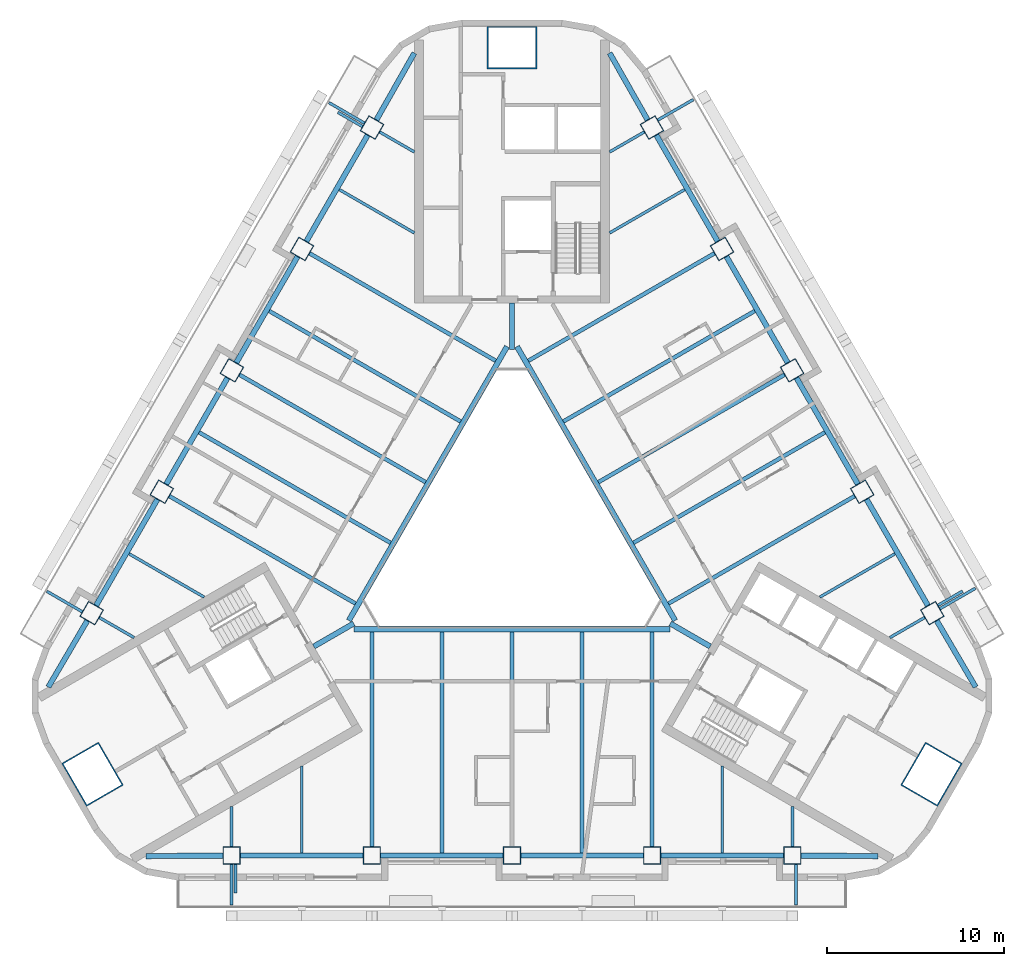
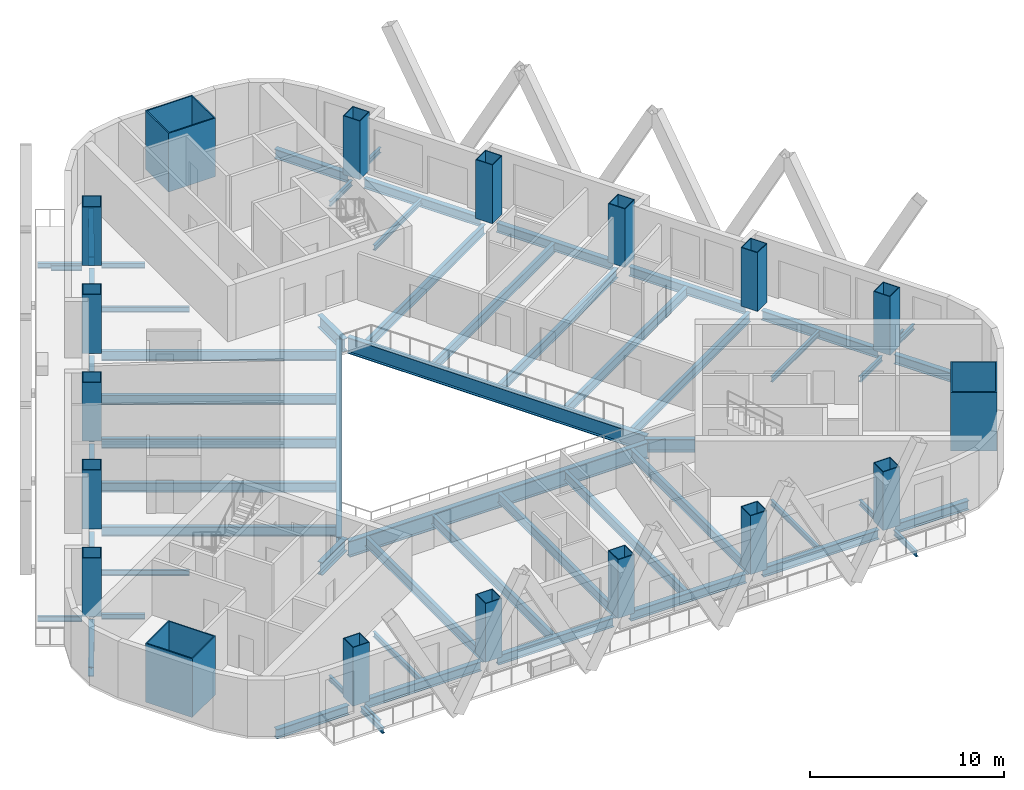
# One storey, part 1 of 13: 60 beams, 18 columns.
"""IFC4 building model written with IfcOpenShell, lengths in metres."""

from ifc_helpers import new_model, si_unit, direction, frame, origin, origin_2d, place, context, subcontext, project, spatial, rectangle, hollow_rectangle, i_section, extrude, material, material_profile, profile_set, type_object, element, save


model = new_model("IFC4")

# Units and contexts
model_context = context("Model", 3, precision=1e-05, world=origin(), true_north=direction((0.0, 1.0)))
body_context = subcontext(model_context, "Body", "Model", "MODEL_VIEW")
ifc_project = project(units=[si_unit("LENGTHUNIT", "METRE"), si_unit("AREAUNIT", "SQUARE_METRE"), si_unit("VOLUMEUNIT", "CUBIC_METRE"), si_unit("PLANEANGLEUNIT", "RADIAN"), si_unit("MASSUNIT", "GRAM", prefix="KILO")], contexts=[model_context])

# Site, building, storey
site_placement = place(None, origin())
site = spatial("IfcSite", under=ifc_project, at=site_placement, CompositionType="ELEMENT")
building_placement = place(site_placement, origin())
building = spatial("IfcBuilding", under=site, at=building_placement, Name="Apuvela Tower Hotel", CompositionType="ELEMENT")
storey_placement = place(building_placement, frame((0.0, 0.0, 68.699951171875)))
storey = spatial("IfcBuildingStorey", under=building, at=storey_placement, Name="L14", CompositionType="ELEMENT", Elevation=68.699951171875)

# Columns
ifc_material_1 = material(Name="Steel S460", Category="steel")
ifc_material_profile_1 = material_profile(ifc_material_1, hollow_rectangle(XDim=2.800048828125, YDim=2.39990234375, WallThickness=0.070068359375, at=origin_2d()), Name="BOX 2800x2400x70")
ifc_material_2 = material(Name="Concrete C80/95", Category="concrete")
ifc_material_profile_2 = material_profile(ifc_material_2, rectangle(XDim=2.659912109375, YDim=2.260009765625, at=origin_2d()), Name="Concrete C80/95 infill")
ifc_profile_set_1 = profile_set([ifc_material_profile_1, ifc_material_profile_2], Name="Steel S460")
column_type_1 = type_object("IfcColumnType", Name="STR-MC mega column BOX 2800x2400x70", PredefinedType="COLUMN", material=ifc_profile_set_1)
for number, where, z_axis, x_axis, name in (
    (1, (0.0, 27.300048828125, 0.0), (0.0, 0.0, 1.0), (1.0, 0.0, 0.0), "Mega column MC2 N"),
    (2, (-23.642578125, -13.64990234375, 0.0), (0.0, 0.0, 1.0), (-0.5, 0.866025403784, 0.0), "Mega column MC2 SW"),
    (3, (23.642578125, -13.64990234375, 0.0), (0.0, 0.0, 1.0), (0.5, 0.866025403784, 0.0), "Mega column MC2 SE"),
):
    element("IfcColumn", number, at=place(storey_placement, frame(where, z_axis=z_axis, x_axis=x_axis)), inside=storey, type_object=column_type_1, Name=name, PredefinedType="COLUMN", context=body_context, shape_type="SweptSolid", body=[
        extrude(hollow_rectangle(XDim=2.800048828125, YDim=2.39990234375, WallThickness=0.070068359375, at=origin_2d()), origin(), (0.0, 0.0, 1.0), 3.699951171875),
    ])
ifc_material_profile_3 = material_profile(ifc_material_1, hollow_rectangle(XDim=1.0, YDim=1.0, WallThickness=0.044921875, at=origin_2d()), Name="BOX 1000x1000x45")
ifc_material_profile_4 = material_profile(ifc_material_2, rectangle(XDim=0.909912109375, YDim=0.909912109375, at=origin_2d()), Name="Concrete C80/95 infill")
ifc_profile_set_2 = profile_set([ifc_material_profile_3, ifc_material_profile_4], Name="Steel S460")
column_type_2 = type_object("IfcColumnType", Name="STR-PC perimeter column BOX 1000x1000x45", PredefinedType="COLUMN", material=ifc_profile_set_2)
for number, where, z_axis, x_axis, name in (
    (4, (-15.800048828125, -18.22998046875, 0.0), (0.0, 0.0, 1.0), (-1.0, 0.0, 0.0), "Perimeter column C2 S1"),
    (5, (-7.89990234375, -18.22998046875, 0.0), (0.0, 0.0, 1.0), (-1.0, 0.0, 0.0), "Perimeter column C2 S2"),
    (6, (0.0, -18.22998046875, 0.0), (0.0, 0.0, 1.0), (-1.0, 0.0, 0.0), "Perimeter column C2 S3"),
    (7, (7.89990234375, -18.22998046875, 0.0), (0.0, 0.0, 1.0), (-1.0, 0.0, 0.0), "Perimeter column C2 S4"),
    (8, (15.800048828125, -18.22998046875, 0.0), (0.0, 0.0, 1.0), (-1.0, 0.0, 0.0), "Perimeter column C2 S5"),
    (9, (23.6875, -4.568115234375, 0.0), (0.0, 0.0, 1.0), (-0.5, 0.866025403784, 0.0), "Perimeter column C2 NE1"),
    (10, (19.737548828125, 2.2734375, 0.0), (0.0, 0.0, 1.0), (-0.5, 0.866025403784, 0.0), "Perimeter column C2 NE2"),
    (11, (15.78759765625, 9.114990234375, 0.0), (0.0, 0.0, 1.0), (-0.5, 0.866025403784, 0.0), "Perimeter column C2 NE3"),
    (12, (11.837646484375, 15.95654296875, 0.0), (0.0, 0.0, 1.0), (-0.5, 0.866025403784, 0.0), "Perimeter column C2 NE4"),
    (13, (7.8876953125, 22.798095703125, 0.0), (0.0, 0.0, 1.0), (-0.5, 0.866025403784, 0.0), "Perimeter column C2 NE5"),
    (14, (-7.8876953125, 22.798095703125, 0.0), (0.0, 0.0, 1.0), (0.5, 0.866025403784, 0.0), "Perimeter column C2 NW1"),
    (15, (-11.837646484375, 15.95654296875, 0.0), (0.0, 0.0, 1.0), (0.5, 0.866025403784, 0.0), "Perimeter column C2 NW2"),
    (16, (-15.78759765625, 9.114990234375, 0.0), (0.0, 0.0, 1.0), (0.5, 0.866025403784, 0.0), "Perimeter column C2 NW3"),
    (17, (-19.737548828125, 2.2734375, 0.0), (0.0, 0.0, 1.0), (0.5, 0.866025403784, 0.0), "Perimeter column C2 NW4"),
    (18, (-23.6875, -4.568115234375, 0.0), (0.0, 0.0, 1.0), (0.5, 0.866025403784, 0.0), "Perimeter column C2 NW5"),
):
    element("IfcColumn", number, at=place(storey_placement, frame(where, z_axis=z_axis, x_axis=x_axis)), inside=storey, type_object=column_type_2, Name=name, PredefinedType="COLUMN", context=body_context, shape_type="SweptSolid", body=[
        extrude(hollow_rectangle(XDim=1.0, YDim=1.0, WallThickness=0.044921875, at=origin_2d()), origin(), (0.0, 0.0, 1.0), 3.699951171875),
    ])

# Beams
ifc_material_3 = material(Name="Steel S355", Category="steel")
ifc_material_profile_5 = material_profile(ifc_material_3, i_section(OverallWidth=0.159912109375, OverallDepth=0.330078125, WebThickness=0.007568359375, FlangeThickness=0.011474609375, at=origin_2d()), Name="IPE 330")
ifc_profile_set_3 = profile_set([ifc_material_profile_5], Name="Steel S355")
beam_type_1 = type_object("IfcBeamType", Name="ENV-BALCONY-BEAM-IPE330", PredefinedType="BEAM", material=ifc_profile_set_3)
beam_1_placement = place(storey_placement, frame((-15.800048828125, -18.72998046875, -0.31494140625), z_axis=(0.0, -1.0, 0.0), x_axis=(1.0, 0.0, 0.0)))
element("IfcBeam", 19, at=beam_1_placement, inside=storey, type_object=beam_type_1, Name="Balcony cantilever beam S1 L14", PredefinedType="BEAM", context=body_context, shape_type="SweptSolid", body=[
    extrude(i_section(OverallWidth=0.159912109375, OverallDepth=0.330078125, WebThickness=0.007568359375, FlangeThickness=0.011474609375, at=origin_2d()), origin(), (0.0, 0.0, 1.0), 2.300048828125),
])
beam_2_placement = place(storey_placement, frame((-15.580078125, -18.72998046875, -0.31494140625), z_axis=(0.0, -1.0, 0.0), x_axis=(1.0, 0.0, 0.0)))
element("IfcBeam", 20, at=beam_2_placement, inside=storey, type_object=beam_type_1, Name="Balcony cantilever beam S2 L14", PredefinedType="BEAM", context=body_context, shape_type="SweptSolid", body=[
    extrude(i_section(OverallWidth=0.159912109375, OverallDepth=0.330078125, WebThickness=0.007568359375, FlangeThickness=0.011474609375, at=origin_2d()), origin(), (0.0, 0.0, 1.0), 1.60009765625),
])
for number, where, z_axis, x_axis, name in (
    (21, (16.0, -18.72998046875, -0.31494140625), (0.0, -1.0, 0.0), (1.0, 0.0, 0.0), "Balcony cantilever beam S3 L14"),
    (22, (24.12060546875, -4.318115234375, -0.31494140625), (0.866053019151, 0.499952165731, 0.0), (-0.499952165731, 0.866053019151, 0.0), "Balcony cantilever beam NE1 L14"),
):
    element("IfcBeam", number, at=place(storey_placement, frame(where, z_axis=z_axis, x_axis=x_axis)), inside=storey, type_object=beam_type_1, Name=name, PredefinedType="BEAM", context=body_context, shape_type="SweptSolid", body=[
        extrude(i_section(OverallWidth=0.159912109375, OverallDepth=0.330078125, WebThickness=0.007568359375, FlangeThickness=0.011474609375, at=origin_2d()), origin(), (0.0, 0.0, 1.0), 2.300048828125),
    ])
beam_3_placement = place(storey_placement, frame((24.0107421875, -4.127685546875, -0.31494140625), z_axis=(0.865989903783, 0.500061482766, 0.0), x_axis=(-0.500061482766, 0.865989903783, 0.0)))
element("IfcBeam", 23, at=beam_3_placement, inside=storey, type_object=beam_type_1, Name="Balcony cantilever beam NE2 L14", PredefinedType="BEAM", context=body_context, shape_type="SweptSolid", body=[
    extrude(i_section(OverallWidth=0.159912109375, OverallDepth=0.330078125, WebThickness=0.007568359375, FlangeThickness=0.011474609375, at=origin_2d()), origin(), (0.0, 0.0, 1.0), 1.599853515625),
])
beam_4_placement = place(storey_placement, frame((8.220703125, 23.221435546875, -0.31494140625), z_axis=(0.86602648383, 0.499998129301, 0.0), x_axis=(-0.499998129301, 0.86602648383, 0.0)))
element("IfcBeam", 24, at=beam_4_placement, inside=storey, type_object=beam_type_1, Name="Balcony cantilever beam NE3 L14", PredefinedType="BEAM", context=body_context, shape_type="SweptSolid", body=[
    extrude(i_section(OverallWidth=0.159912109375, OverallDepth=0.330078125, WebThickness=0.007568359375, FlangeThickness=0.011474609375, at=origin_2d()), origin(), (0.0, 0.0, 1.0), 2.2998046875),
])
beam_5_placement = place(storey_placement, frame((-8.32080078125, 23.048095703125, -0.31494140625), z_axis=(-0.865980515519, 0.500077740698, 0.0), x_axis=(-0.500077740698, -0.865980515519, 0.0)))
element("IfcBeam", 25, at=beam_5_placement, inside=storey, type_object=beam_type_1, Name="Balcony cantilever beam NW1 L14", PredefinedType="BEAM", context=body_context, shape_type="SweptSolid", body=[
    extrude(i_section(OverallWidth=0.159912109375, OverallDepth=0.330078125, WebThickness=0.007568359375, FlangeThickness=0.011474609375, at=origin_2d()), origin(), (0.0, 0.0, 1.0), 2.300048828125),
])
beam_6_placement = place(storey_placement, frame((-8.4306640625, 22.857666015625, -0.31494140625), z_axis=(-0.866028054938, 0.499995408039, 0.0), x_axis=(-0.499995408039, -0.866028054938, 0.0)))
element("IfcBeam", 26, at=beam_6_placement, inside=storey, type_object=beam_type_1, Name="Balcony cantilever beam NW2 L14", PredefinedType="BEAM", context=body_context, shape_type="SweptSolid", body=[
    extrude(i_section(OverallWidth=0.159912109375, OverallDepth=0.330078125, WebThickness=0.007568359375, FlangeThickness=0.011474609375, at=origin_2d()), origin(), (0.0, 0.0, 1.0), 1.60009765625),
])
beam_7_placement = place(storey_placement, frame((-24.220703125, -4.491455078125, -0.31494140625), z_axis=(-0.865980515519, 0.500077740698, 0.0), x_axis=(-0.500077740698, -0.865980515519, 0.0)))
element("IfcBeam", 27, at=beam_7_placement, inside=storey, type_object=beam_type_1, Name="Balcony cantilever beam NW3 L14", PredefinedType="BEAM", context=body_context, shape_type="SweptSolid", body=[
    extrude(i_section(OverallWidth=0.159912109375, OverallDepth=0.330078125, WebThickness=0.007568359375, FlangeThickness=0.011474609375, at=origin_2d()), origin(), (0.0, 0.0, 1.0), 2.300048828125),
])
ifc_material_profile_6 = material_profile(ifc_material_3, i_section(OverallWidth=0.159912109375, OverallDepth=0.330078125, WebThickness=0.007568359375, FlangeThickness=0.011474609375, at=origin_2d()), Name="IPE 330")
ifc_profile_set_4 = profile_set([ifc_material_profile_6], Name="Steel S355")
beam_type_2 = type_object("IfcBeamType", Name="STR-B floor beam IPE 330", PredefinedType="BEAM", material=ifc_profile_set_4)
beam_8_placement = place(storey_placement, frame((23.254638671875, -4.818115234375, -0.31494140625), z_axis=(-0.865991034588, -0.500059524469, 0.0), x_axis=(0.500059524469, -0.865991034588, 0.0)))
element("IfcBeam", 28, at=beam_8_placement, inside=storey, type_object=beam_type_2, Name="Floor beam B1 NE1", PredefinedType="BEAM", context=body_context, shape_type="SweptSolid", body=[
    extrude(i_section(OverallWidth=0.159912109375, OverallDepth=0.330078125, WebThickness=0.007568359375, FlangeThickness=0.011474609375, at=origin_2d()), origin(), (0.0, 0.0, 1.0), 2.257080078125),
])
for number, where, z_axis, x_axis, name in (
    (29, (21.582763671875, -1.222412109375, -0.31494140625), (-0.866015056278, -0.500017921979, 0.0), (0.500017921979, -0.866015056278, 0.0), "Floor beam B1 NE2"),
    (30, (9.732666015625, 19.302490234375, -0.31494140625), (-0.866015056278, -0.500017921979, 0.0), (0.500017921979, -0.866015056278, 0.0), "Floor beam B1 NE8"),
):
    element("IfcBeam", number, at=place(storey_placement, frame(where, z_axis=z_axis, x_axis=x_axis)), inside=storey, type_object=beam_type_2, Name=name, PredefinedType="BEAM", context=body_context, shape_type="SweptSolid", body=[
        extrude(i_section(OverallWidth=0.159912109375, OverallDepth=0.330078125, WebThickness=0.007568359375, FlangeThickness=0.011474609375, at=origin_2d()), origin(), (0.0, 0.0, 1.0), 4.887451171875),
    ])
for number, where, z_axis, x_axis, name in (
    (31, (7.45458984375, 22.548095703125, -0.31494140625), (-0.86603787505, -0.499978398512, 0.0), (0.499978398512, -0.86603787505, 0.0), "Floor beam B1 NE9"),
    (32, (-7.45458984375, 22.548095703125, -0.31494140625), (0.86603787505, -0.499978398512, 0.0), (0.499978398512, 0.86603787505, 0.0), "Floor beam B1 NW1"),
):
    element("IfcBeam", number, at=place(storey_placement, frame(where, z_axis=z_axis, x_axis=x_axis)), inside=storey, type_object=beam_type_2, Name=name, PredefinedType="BEAM", context=body_context, shape_type="SweptSolid", body=[
        extrude(i_section(OverallWidth=0.159912109375, OverallDepth=0.330078125, WebThickness=0.007568359375, FlangeThickness=0.011474609375, at=origin_2d()), origin(), (0.0, 0.0, 1.0), 2.2568359375),
    ])
for number, where, z_axis, x_axis, name in (
    (33, (-9.732666015625, 19.302490234375, -0.31494140625), (0.866015056278, -0.500017921979, 0.0), (0.500017921979, 0.866015056278, 0.0), "Floor beam B1 NW2"),
    (34, (-21.582763671875, -1.222412109375, -0.31494140625), (0.866015056278, -0.500017921979, 0.0), (0.500017921979, 0.866015056278, 0.0), "Floor beam B1 NW8"),
):
    element("IfcBeam", number, at=place(storey_placement, frame(where, z_axis=z_axis, x_axis=x_axis)), inside=storey, type_object=beam_type_2, Name=name, PredefinedType="BEAM", context=body_context, shape_type="SweptSolid", body=[
        extrude(i_section(OverallWidth=0.159912109375, OverallDepth=0.330078125, WebThickness=0.007568359375, FlangeThickness=0.011474609375, at=origin_2d()), origin(), (0.0, 0.0, 1.0), 4.887451171875),
    ])
for number, where, z_axis, x_axis, name in (
    (35, (-23.254638671875, -4.818115234375, -0.31494140625), (0.865991034588, -0.500059524469, 0.0), (0.500059524469, 0.865991034588, 0.0), "Floor beam B1 NW9"),
    (36, (-15.800048828125, -17.72998046875, -0.31494140625), (0.0, 1.0, 0.0), (-1.0, 0.0, 0.0), "Floor beam B1 S1"),
):
    element("IfcBeam", number, at=place(storey_placement, frame(where, z_axis=z_axis, x_axis=x_axis)), inside=storey, type_object=beam_type_2, Name=name, PredefinedType="BEAM", context=body_context, shape_type="SweptSolid", body=[
        extrude(i_section(OverallWidth=0.159912109375, OverallDepth=0.330078125, WebThickness=0.007568359375, FlangeThickness=0.011474609375, at=origin_2d()), origin(), (0.0, 0.0, 1.0), 2.257080078125),
    ])
for number, where, z_axis, x_axis, name in (
    (37, (-11.85009765625, -18.080078125, -0.31494140625), (0.0, 1.0, 0.0), (-1.0, 0.0, 0.0), "Floor beam B1 S2"),
    (38, (11.85009765625, -18.080078125, -0.31494140625), (0.0, 1.0, 0.0), (-1.0, 0.0, 0.0), "Floor beam B1 S8"),
):
    element("IfcBeam", number, at=place(storey_placement, frame(where, z_axis=z_axis, x_axis=x_axis)), inside=storey, type_object=beam_type_2, Name=name, PredefinedType="BEAM", context=body_context, shape_type="SweptSolid", body=[
        extrude(i_section(OverallWidth=0.159912109375, OverallDepth=0.330078125, WebThickness=0.007568359375, FlangeThickness=0.011474609375, at=origin_2d()), origin(), (0.0, 0.0, 1.0), 4.8876953125),
    ])
beam_9_placement = place(storey_placement, frame((15.800048828125, -17.72998046875, -0.31494140625), z_axis=(0.0, 1.0, 0.0), x_axis=(-1.0, 0.0, 0.0)))
element("IfcBeam", 39, at=beam_9_placement, inside=storey, type_object=beam_type_2, Name="Floor beam B1 S9", PredefinedType="BEAM", context=body_context, shape_type="SweptSolid", body=[
    extrude(i_section(OverallWidth=0.159912109375, OverallDepth=0.330078125, WebThickness=0.007568359375, FlangeThickness=0.011474609375, at=origin_2d()), origin(), (0.0, 0.0, 1.0), 2.257080078125),
])
ifc_material_profile_7 = material_profile(ifc_material_3, i_section(OverallWidth=0.219970703125, OverallDepth=0.60009765625, WebThickness=0.011962890625, FlangeThickness=0.01904296875, at=origin_2d()), Name="IPE 600")
ifc_profile_set_5 = profile_set([ifc_material_profile_7], Name="Steel S355")
beam_type_3 = type_object("IfcBeamType", Name="STR-B floor beam IPE 600", PredefinedType="BEAM", material=ifc_profile_set_5)
beam_10_placement = place(storey_placement, frame((19.3046875, 2.0234375, -0.449951171875), z_axis=(-0.866027098151, -0.499997065259, 0.0), x_axis=(0.499997065259, -0.866027098151, 0.0)))
element("IfcBeam", 40, at=beam_10_placement, inside=storey, type_object=beam_type_3, Name="Floor beam B8 NE3", PredefinedType="BEAM", context=body_context, shape_type="SweptSolid", body=[
    extrude(i_section(OverallWidth=0.219970703125, OverallDepth=0.60009765625, WebThickness=0.011962890625, FlangeThickness=0.01904296875, at=origin_2d()), origin(), (0.0, 0.0, 1.0), 12.10791015625),
])
beam_11_placement = place(storey_placement, frame((17.6328125, 5.619140625, -0.449951171875), z_axis=(-0.866027636335, -0.499996133089, 0.0), x_axis=(0.499996133089, -0.866027636335, 0.0)))
element("IfcBeam", 41, at=beam_11_placement, inside=storey, type_object=beam_type_3, Name="Floor beam B8 NE4", PredefinedType="BEAM", context=body_context, shape_type="SweptSolid", body=[
    extrude(i_section(OverallWidth=0.219970703125, OverallDepth=0.60009765625, WebThickness=0.011962890625, FlangeThickness=0.01904296875, at=origin_2d()), origin(), (0.0, 0.0, 1.0), 12.4580078125),
])
beam_12_placement = place(storey_placement, frame((15.3544921875, 8.864990234375, -0.449951171875), z_axis=(-0.866022057176, -0.500005796451, 0.0), x_axis=(0.500005796451, -0.866022057176, 0.0)))
element("IfcBeam", 42, at=beam_12_placement, inside=storey, type_object=beam_type_3, Name="Floor beam B8 NE5", PredefinedType="BEAM", context=body_context, shape_type="SweptSolid", body=[
    extrude(i_section(OverallWidth=0.219970703125, OverallDepth=0.60009765625, WebThickness=0.011962890625, FlangeThickness=0.01904296875, at=origin_2d()), origin(), (0.0, 0.0, 1.0), 12.107666015625),
])
beam_13_placement = place(storey_placement, frame((13.6826171875, 12.460693359375, -0.449951171875), z_axis=(-0.866022737053, -0.500004618886, 0.0), x_axis=(0.500004618886, -0.866022737053, 0.0)))
element("IfcBeam", 43, at=beam_13_placement, inside=storey, type_object=beam_type_3, Name="Floor beam B8 NE6", PredefinedType="BEAM", context=body_context, shape_type="SweptSolid", body=[
    extrude(i_section(OverallWidth=0.219970703125, OverallDepth=0.60009765625, WebThickness=0.011962890625, FlangeThickness=0.01904296875, at=origin_2d()), origin(), (0.0, 0.0, 1.0), 12.4580078125),
])
for number, where, z_axis, x_axis, name in (
    (44, (11.404541015625, 15.70654296875, -0.449951171875), (-0.866027098151, -0.499997065259, 0.0), (0.499997065259, -0.866027098151, 0.0), "Floor beam B8 NE7"),
    (45, (-11.404541015625, 15.70654296875, -0.449951171875), (0.866027098151, -0.499997065259, 0.0), (0.499997065259, 0.866027098151, 0.0), "Floor beam B8 NW3"),
):
    element("IfcBeam", number, at=place(storey_placement, frame(where, z_axis=z_axis, x_axis=x_axis)), inside=storey, type_object=beam_type_3, Name=name, PredefinedType="BEAM", context=body_context, shape_type="SweptSolid", body=[
        extrude(i_section(OverallWidth=0.219970703125, OverallDepth=0.60009765625, WebThickness=0.011962890625, FlangeThickness=0.01904296875, at=origin_2d()), origin(), (0.0, 0.0, 1.0), 12.10791015625),
    ])
beam_14_placement = place(storey_placement, frame((-13.6826171875, 12.460693359375, -0.449951171875), z_axis=(0.866022737053, -0.500004618886, 0.0), x_axis=(0.500004618886, 0.866022737053, 0.0)))
element("IfcBeam", 46, at=beam_14_placement, inside=storey, type_object=beam_type_3, Name="Floor beam B8 NW4", PredefinedType="BEAM", context=body_context, shape_type="SweptSolid", body=[
    extrude(i_section(OverallWidth=0.219970703125, OverallDepth=0.60009765625, WebThickness=0.011962890625, FlangeThickness=0.01904296875, at=origin_2d()), origin(), (0.0, 0.0, 1.0), 12.4580078125),
])
beam_15_placement = place(storey_placement, frame((-15.3544921875, 8.864990234375, -0.449951171875), z_axis=(0.866022057176, -0.500005796451, 0.0), x_axis=(0.500005796451, 0.866022057176, 0.0)))
element("IfcBeam", 47, at=beam_15_placement, inside=storey, type_object=beam_type_3, Name="Floor beam B8 NW5", PredefinedType="BEAM", context=body_context, shape_type="SweptSolid", body=[
    extrude(i_section(OverallWidth=0.219970703125, OverallDepth=0.60009765625, WebThickness=0.011962890625, FlangeThickness=0.01904296875, at=origin_2d()), origin(), (0.0, 0.0, 1.0), 12.107666015625),
])
beam_16_placement = place(storey_placement, frame((-17.6328125, 5.619140625, -0.449951171875), z_axis=(0.866027636335, -0.499996133089, 0.0), x_axis=(0.499996133089, 0.866027636335, 0.0)))
element("IfcBeam", 48, at=beam_16_placement, inside=storey, type_object=beam_type_3, Name="Floor beam B8 NW6", PredefinedType="BEAM", context=body_context, shape_type="SweptSolid", body=[
    extrude(i_section(OverallWidth=0.219970703125, OverallDepth=0.60009765625, WebThickness=0.011962890625, FlangeThickness=0.01904296875, at=origin_2d()), origin(), (0.0, 0.0, 1.0), 12.4580078125),
])
for number, where, z_axis, x_axis, name in (
    (49, (-19.3046875, 2.0234375, -0.449951171875), (0.866027098151, -0.499997065259, 0.0), (0.499997065259, 0.866027098151, 0.0), "Floor beam B8 NW7"),
    (50, (-7.89990234375, -17.72998046875, -0.449951171875), (0.0, 1.0, 0.0), (-1.0, 0.0, 0.0), "Floor beam B8 S3"),
):
    element("IfcBeam", number, at=place(storey_placement, frame(where, z_axis=z_axis, x_axis=x_axis)), inside=storey, type_object=beam_type_3, Name=name, PredefinedType="BEAM", context=body_context, shape_type="SweptSolid", body=[
        extrude(i_section(OverallWidth=0.219970703125, OverallDepth=0.60009765625, WebThickness=0.011962890625, FlangeThickness=0.01904296875, at=origin_2d()), origin(), (0.0, 0.0, 1.0), 12.10791015625),
    ])
beam_17_placement = place(storey_placement, frame((-3.949951171875, -18.080078125, -0.449951171875), z_axis=(0.0, 1.0, 0.0), x_axis=(-1.0, 0.0, 0.0)))
element("IfcBeam", 51, at=beam_17_placement, inside=storey, type_object=beam_type_3, Name="Floor beam B8 S4", PredefinedType="BEAM", context=body_context, shape_type="SweptSolid", body=[
    extrude(i_section(OverallWidth=0.219970703125, OverallDepth=0.60009765625, WebThickness=0.011962890625, FlangeThickness=0.01904296875, at=origin_2d()), origin(), (0.0, 0.0, 1.0), 12.4580078125),
])
beam_18_placement = place(storey_placement, frame((0.0, -17.72998046875, -0.449951171875), z_axis=(0.0, 1.0, 0.0), x_axis=(-1.0, 0.0, 0.0)))
element("IfcBeam", 52, at=beam_18_placement, inside=storey, type_object=beam_type_3, Name="Floor beam B8 S5", PredefinedType="BEAM", context=body_context, shape_type="SweptSolid", body=[
    extrude(i_section(OverallWidth=0.219970703125, OverallDepth=0.60009765625, WebThickness=0.011962890625, FlangeThickness=0.01904296875, at=origin_2d()), origin(), (0.0, 0.0, 1.0), 12.10791015625),
])
beam_19_placement = place(storey_placement, frame((3.949951171875, -18.080078125, -0.449951171875), z_axis=(0.0, 1.0, 0.0), x_axis=(-1.0, 0.0, 0.0)))
element("IfcBeam", 53, at=beam_19_placement, inside=storey, type_object=beam_type_3, Name="Floor beam B8 S6", PredefinedType="BEAM", context=body_context, shape_type="SweptSolid", body=[
    extrude(i_section(OverallWidth=0.219970703125, OverallDepth=0.60009765625, WebThickness=0.011962890625, FlangeThickness=0.01904296875, at=origin_2d()), origin(), (0.0, 0.0, 1.0), 12.4580078125),
])
beam_20_placement = place(storey_placement, frame((7.89990234375, -17.72998046875, -0.449951171875), z_axis=(0.0, 1.0, 0.0), x_axis=(-1.0, 0.0, 0.0)))
element("IfcBeam", 54, at=beam_20_placement, inside=storey, type_object=beam_type_3, Name="Floor beam B8 S7", PredefinedType="BEAM", context=body_context, shape_type="SweptSolid", body=[
    extrude(i_section(OverallWidth=0.219970703125, OverallDepth=0.60009765625, WebThickness=0.011962890625, FlangeThickness=0.01904296875, at=origin_2d()), origin(), (0.0, 0.0, 1.0), 12.10791015625),
])
ifc_material_profile_8 = material_profile(ifc_material_3, i_section(OverallWidth=0.302001953125, OverallDepth=1.008056640625, WebThickness=0.02099609375, FlangeThickness=0.0400390625, at=origin_2d()), Name="HE 1000 M")
ifc_profile_set_6 = profile_set([ifc_material_profile_8], Name="Steel S355")
beam_type_4 = type_object("IfcBeamType", Name="STR-G atrium ring girder HE 1000 M", PredefinedType="BEAM", material=ifc_profile_set_6)
for number, where, z_axis, x_axis, name in (
    (55, (-0.28076171875, 10.455810546875, -0.654052734375), (-0.500000611842, -0.866025050537, 0.0), (0.866025050537, -0.500000611842, 0.0), "Atrium ring girder G1 N-SW"),
    (56, (-8.91455078125, -5.470947265625, -0.654052734375), (1.0, 0.0, 0.0), (0.0, 1.0, 0.0), "Atrium ring girder G1 SW-SE"),
    (57, (9.1953125, -4.984619140625, -0.654052734375), (-0.500000611842, 0.866025050537, 0.0), (-0.866025050537, -0.500000611842, 0.0), "Atrium ring girder G1 SE-N"),
):
    element("IfcBeam", number, at=place(storey_placement, frame(where, z_axis=z_axis, x_axis=x_axis)), inside=storey, type_object=beam_type_4, Name=name, PredefinedType="BEAM", context=body_context, shape_type="SweptSolid", body=[
        extrude(i_section(OverallWidth=0.302001953125, OverallDepth=1.008056640625, WebThickness=0.02099609375, FlangeThickness=0.0400390625, at=origin_2d()), origin(), (0.0, 0.0, 1.0), 17.8291015625),
    ])
ifc_material_profile_9 = material_profile(ifc_material_3, i_section(OverallWidth=0.300048828125, OverallDepth=0.800048828125, WebThickness=0.017578125, FlangeThickness=0.032958984375, at=origin_2d()), Name="HE 800 B")
ifc_profile_set_7 = profile_set([ifc_material_profile_9], Name="Steel S355")
beam_type_5 = type_object("IfcBeamType", Name="STR-GT core tie beam HE 800 B", PredefinedType="BEAM", material=ifc_profile_set_7)
for number, where, z_axis, x_axis, name in (
    (58, (0.0, 12.89990234375, -0.550048828125), (0.0, -1.0, 0.0), (1.0, 0.0, 0.0), "Core tie beam GT1 N"),
    (59, (-11.171630859375, -6.449951171875, -0.550048828125), (0.865997922154, 0.500047596559, 0.0), (-0.500047596559, 0.865997922154, 0.0), "Core tie beam GT1 SW"),
    (60, (11.171630859375, -6.449951171875, -0.550048828125), (-0.865997922154, 0.500047596559, 0.0), (-0.500047596559, -0.865997922154, 0.0), "Core tie beam GT1 SE"),
):
    element("IfcBeam", number, at=place(storey_placement, frame(where, z_axis=z_axis, x_axis=x_axis)), inside=storey, type_object=beam_type_5, Name=name, PredefinedType="BEAM", context=body_context, shape_type="SweptSolid", body=[
        extrude(i_section(OverallWidth=0.300048828125, OverallDepth=0.800048828125, WebThickness=0.017578125, FlangeThickness=0.032958984375, at=origin_2d()), origin(), (0.0, 0.0, 1.0), 2.599853515625),
    ])
ifc_material_profile_10 = material_profile(ifc_material_3, i_section(OverallWidth=0.300048828125, OverallDepth=0.590087890625, WebThickness=0.012939453125, FlangeThickness=0.02490234375, at=origin_2d()), Name="HE 600 A")
ifc_profile_set_8 = profile_set([ifc_material_profile_10], Name="Steel S355")
beam_type_6 = type_object("IfcBeamType", Name="STR-SB spandrel beam HE 600 A", PredefinedType="SPANDREL", material=ifc_profile_set_8)
beam_21_placement = place(storey_placement, frame((-15.300048828125, -18.22998046875, -0.445068359375), z_axis=(1.0, 0.0, 0.0), x_axis=(0.0, 1.0, 0.0)))
element("IfcBeam", 61, at=beam_21_placement, inside=storey, type_object=beam_type_6, Name="Spandrel beam SB2 S1", PredefinedType="SPANDREL", context=body_context, shape_type="SweptSolid", body=[
    extrude(i_section(OverallWidth=0.300048828125, OverallDepth=0.590087890625, WebThickness=0.012939453125, FlangeThickness=0.02490234375, at=origin_2d()), origin(), (0.0, 0.0, 1.0), 6.900146484375),
])
for number, where, z_axis, x_axis, name in (
    (62, (-7.39990234375, -18.22998046875, -0.445068359375), (1.0, 0.0, 0.0), (0.0, 1.0, 0.0), "Spandrel beam SB2 S2"),
    (63, (0.5, -18.22998046875, -0.445068359375), (1.0, 0.0, 0.0), (0.0, 1.0, 0.0), "Spandrel beam SB2 S3"),
):
    element("IfcBeam", number, at=place(storey_placement, frame(where, z_axis=z_axis, x_axis=x_axis)), inside=storey, type_object=beam_type_6, Name=name, PredefinedType="SPANDREL", context=body_context, shape_type="SweptSolid", body=[
        extrude(i_section(OverallWidth=0.300048828125, OverallDepth=0.590087890625, WebThickness=0.012939453125, FlangeThickness=0.02490234375, at=origin_2d()), origin(), (0.0, 0.0, 1.0), 6.89990234375),
    ])
beam_22_placement = place(storey_placement, frame((8.39990234375, -18.22998046875, -0.445068359375), z_axis=(1.0, 0.0, 0.0), x_axis=(0.0, 1.0, 0.0)))
element("IfcBeam", 64, at=beam_22_placement, inside=storey, type_object=beam_type_6, Name="Spandrel beam SB2 S4", PredefinedType="SPANDREL", context=body_context, shape_type="SweptSolid", body=[
    extrude(i_section(OverallWidth=0.300048828125, OverallDepth=0.590087890625, WebThickness=0.012939453125, FlangeThickness=0.02490234375, at=origin_2d()), origin(), (0.0, 0.0, 1.0), 6.900146484375),
])
for number, where, z_axis, x_axis, name in (
    (65, (23.4375, -4.13525390625, -0.445068359375), (-0.499994024137, 0.866028853923, 0.0), (-0.866028853923, -0.499994024137, 0.0), "Spandrel beam SB2 NE1"),
    (66, (19.487548828125, 2.706298828125, -0.445068359375), (-0.499994024137, 0.866028853923, 0.0), (-0.866028853923, -0.499994024137, 0.0), "Spandrel beam SB2 NE2"),
    (67, (15.53759765625, 9.548095703125, -0.445068359375), (-0.499994024137, 0.866028853923, 0.0), (-0.866028853923, -0.499994024137, 0.0), "Spandrel beam SB2 NE3"),
    (68, (11.587646484375, 16.3896484375, -0.445068359375), (-0.499994024137, 0.866028853923, 0.0), (-0.866028853923, -0.499994024137, 0.0), "Spandrel beam SB2 NE4"),
    (69, (-8.1376953125, 22.365234375, -0.445068359375), (-0.499994024137, -0.866028853923, 0.0), (0.866028853923, -0.499994024137, 0.0), "Spandrel beam SB2 NW1"),
    (70, (-12.087646484375, 15.523681640625, -0.445068359375), (-0.499994024137, -0.866028853923, 0.0), (0.866028853923, -0.499994024137, 0.0), "Spandrel beam SB2 NW2"),
    (71, (-16.03759765625, 8.681884765625, -0.445068359375), (-0.499994024137, -0.866028853923, 0.0), (0.866028853923, -0.499994024137, 0.0), "Spandrel beam SB2 NW3"),
    (72, (-19.987548828125, 1.84033203125, -0.445068359375), (-0.499994024137, -0.866028853923, 0.0), (0.866028853923, -0.499994024137, 0.0), "Spandrel beam SB2 NW4"),
):
    element("IfcBeam", number, at=place(storey_placement, frame(where, z_axis=z_axis, x_axis=x_axis)), inside=storey, type_object=beam_type_6, Name=name, PredefinedType="SPANDREL", context=body_context, shape_type="SweptSolid", body=[
        extrude(i_section(OverallWidth=0.300048828125, OverallDepth=0.590087890625, WebThickness=0.012939453125, FlangeThickness=0.02490234375, at=origin_2d()), origin(), (0.0, 0.0, 1.0), 6.89990234375),
    ])
for number, where, z_axis, x_axis, name in (
    (73, (-16.300048828125, -18.2333984375, -0.445068359375), (-0.999976372141, -0.00687423888, 0.0), (0.00687423888, -0.999976372141, 0.0), "Spandrel beam SB2 S1-SW"),
    (74, (16.300048828125, -18.2333984375, -0.445068359375), (0.999976372141, -0.00687423888, 0.0), (0.00687423888, 0.999976372141, 0.0), "Spandrel beam SB2 S5-SE"),
    (75, (23.940673828125, -4.99951171875, -0.445068359375), (0.505943625762, -0.862566546738, 0.0), (0.862566546738, 0.505943625762, 0.0), "Spandrel beam SB2 NE1-SE"),
    (76, (7.640625, 23.23291015625, -0.445068359375), (-0.494050066642, 0.869433454412, 0.0), (-0.869433454412, -0.494050066642, 0.0), "Spandrel beam SB2 NE5-N"),
    (77, (-7.640625, 23.23291015625, -0.445068359375), (0.494050066642, 0.869433454412, 0.0), (-0.869433454412, 0.494050066642, 0.0), "Spandrel beam SB2 NW1-N"),
    (78, (-23.940673828125, -4.99951171875, -0.445068359375), (-0.505943625762, -0.862566546738, 0.0), (0.862566546738, -0.505943625762, 0.0), "Spandrel beam SB2 NW5-SW"),
):
    element("IfcBeam", number, at=place(storey_placement, frame(where, z_axis=z_axis, x_axis=x_axis)), inside=storey, type_object=beam_type_6, Name=name, PredefinedType="SPANDREL", context=body_context, shape_type="SweptSolid", body=[
        extrude(i_section(OverallWidth=0.300048828125, OverallDepth=0.590087890625, WebThickness=0.012939453125, FlangeThickness=0.02490234375, at=origin_2d()), origin(), (0.0, 0.0, 1.0), 4.332763671875),
    ])

save(model, "model.ifc")
